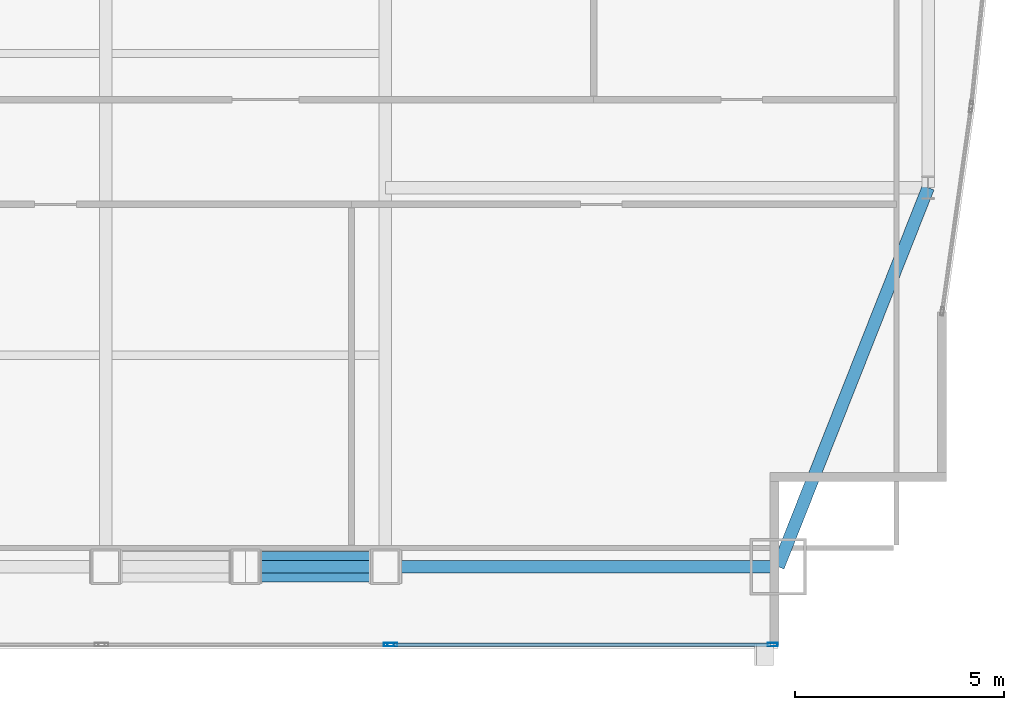
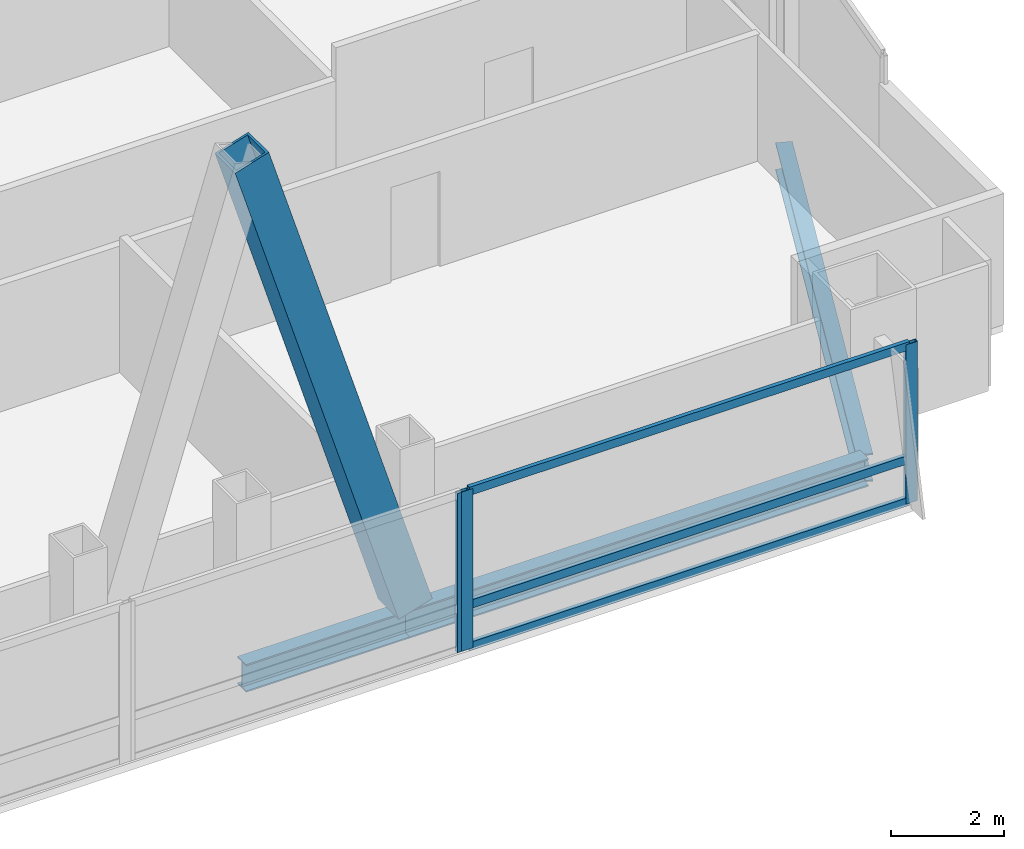
# One storey, part 15 of 30: 7 members, 3 beams, 2 elements without a shape of their own.
"""IFC4 building model written with IfcOpenShell, lengths in metres."""

import ifcopenshell
import ifcopenshell.guid

model = None  # the IFC model being written
_history = None  # IfcOwnerHistory: only IFC2X3 demands one
_inside = {}  # id of a spatial element -> (the spatial element, [elements in it])
_under = {}  # id of a project, library or spatial element -> (it, [spatial elements below it])
_declared = {}  # id of a project -> (the project, [libraries it declares])
_typed = {}  # id of a type object -> (the type object, [elements of that type])
_made_of = {}  # id of a material, layer set ... -> (it, [elements and type objects made of it])


def new_model(schema):
    """Start an empty IFC model of exactly this schema.

    Asked for "IFC4X3", IfcOpenShell would pick the latest addendum, in which some entities
    have other attributes; the version numbers below select the first issue.
    IFC2X3 requires an IfcOwnerHistory on every rooted entity: one is made here for all.
    """
    global model, _history
    if schema == "IFC4X3":
        model = ifcopenshell.file(schema_version=(4, 3, 0, 0))
    else:
        model = ifcopenshell.file(schema=schema)
    _inside.clear()
    _under.clear()
    _declared.clear()
    _typed.clear()
    _made_of.clear()
    _history = None
    if model.schema == "IFC2X3":
        org = make("IfcOrganization", Name="unknown")
        user = make(
            "IfcPersonAndOrganization",
            ThePerson=make("IfcPerson", FamilyName="unknown"),
            TheOrganization=org,
        )
        app = make(
            "IfcApplication",
            ApplicationDeveloper=org,
            Version="unknown",
            ApplicationFullName="unknown",
            ApplicationIdentifier="unknown",
        )
        _history = make(
            "IfcOwnerHistory",
            OwningUser=user,
            OwningApplication=app,
            ChangeAction="ADDED",
            CreationDate=0,
        )
    return model


def make(cls, **values):
    """One entity of the class cls with the attributes given. An attribute that is None is left unset."""
    return model.create_entity(
        cls, **{name: value for name, value in values.items() if value is not None}
    )


def rooted(cls, **values):
    """An entity with a GlobalId (a new one), such as an element, a storey or a relation."""
    return make(cls, GlobalId=ifcopenshell.guid.new(), OwnerHistory=_history, **values)


def si_unit(unit_type, name, prefix=None):
    """IfcSIUnit, for example si_unit("LENGTHUNIT", "METRE", prefix="MILLI")."""
    return make("IfcSIUnit", UnitType=unit_type, Prefix=prefix, Name=name)


def assignment(units):
    """IfcUnitAssignment: the units of a project."""
    return None if units is None else make("IfcUnitAssignment", Units=units)


def point(xyz):
    """IfcCartesianPoint."""
    return None if xyz is None else make("IfcCartesianPoint", Coordinates=xyz)


def direction(xyz):
    """IfcDirection."""
    return None if xyz is None else make("IfcDirection", DirectionRatios=xyz)


def frame(location, z_axis=None, x_axis=None):
    """IfcAxis2Placement3D, a coordinate frame: its origin and axes. An axis left out is left unset."""
    return make(
        "IfcAxis2Placement3D",
        Location=point(location),
        Axis=direction(z_axis),
        RefDirection=direction(x_axis),
    )


def frame_2d(location, x_axis=None):
    """IfcAxis2Placement2D, a coordinate frame in the plane: its origin and x axis."""
    return make(
        "IfcAxis2Placement2D", Location=point(location), RefDirection=direction(x_axis)
    )


def origin():
    """The frame at (0, 0, 0) with its axes left unset."""
    return frame((0.0, 0.0, 0.0))


def origin_2d():
    """The frame at (0, 0) in the plane with its x axis left unset."""
    return frame_2d((0.0, 0.0))


def place(relative_to, where):
    """IfcLocalPlacement: puts the frame where relative to a parent placement (None: the world)."""
    return make(
        "IfcLocalPlacement", PlacementRelTo=relative_to, RelativePlacement=where
    )


def context(
    kind, dimensions, precision=None, world=None, true_north=None, identifier=None
):
    """IfcGeometricRepresentationContext, for example the 3D "Model" context."""
    return make(
        "IfcGeometricRepresentationContext",
        ContextIdentifier=identifier,
        ContextType=kind,
        CoordinateSpaceDimension=dimensions,
        Precision=precision,
        WorldCoordinateSystem=world,
        TrueNorth=true_north,
    )


def subcontext(parent, identifier, kind, view, scale=None):
    """IfcGeometricRepresentationSubContext, for example "Body" below "Model"."""
    return make(
        "IfcGeometricRepresentationSubContext",
        ContextIdentifier=identifier,
        ContextType=kind,
        ParentContext=parent,
        TargetScale=scale,
        TargetView=view,
    )


def project(units=None, contexts=None):
    """IfcProject with its units and contexts."""
    return rooted(
        "IfcProject",
        Name="project",
        RepresentationContexts=contexts,
        UnitsInContext=assignment(units),
    )


def spatial(cls, under=None, at=None, **own):
    """A site, building, storey or space (cls), placed at a placement, below another one or the project."""
    s = rooted(cls, ObjectPlacement=at, **own)
    if under is not None:
        _under.setdefault(under.id(), (under, []))[1].append(s)
    return s


def profile(cls, at=None, kind="AREA", **sizes):
    """A parametric profile (cls). Its sizes go by their IFC names, for example OverallWidth=200.0."""
    return make(cls, ProfileType=kind, Position=at, **sizes)


def hollow_rectangle(**sizes):
    """IfcRectangleHollowProfileDef."""
    return profile("IfcRectangleHollowProfileDef", **sizes)


def i_section(**sizes):
    """IfcIShapeProfileDef."""
    return profile("IfcIShapeProfileDef", **sizes)


def extrude(swept, where, along, depth):
    """IfcExtrudedAreaSolid: the profile swept, set in the frame where, extruded along a direction by depth."""
    return make(
        "IfcExtrudedAreaSolid",
        SweptArea=swept,
        Position=where,
        ExtrudedDirection=direction(along),
        Depth=depth,
    )


def shape(context_of_items, identifier, shape_type, items):
    """IfcShapeRepresentation: the items that make up one representation, for example the "Body"."""
    return make(
        "IfcShapeRepresentation",
        ContextOfItems=context_of_items,
        RepresentationIdentifier=identifier,
        RepresentationType=shape_type,
        Items=items,
    )


def material(Name=None, Category=None):
    """IfcMaterial."""
    return make("IfcMaterial", Name=Name, Category=Category)


def material_profile(
    of_material, cross_section, Name=None, Category=None, Priority=None
):
    """IfcMaterialProfile: a cross section and its material."""
    return make(
        "IfcMaterialProfile",
        Name=Name,
        Material=of_material,
        Profile=cross_section,
        Priority=Priority,
        Category=Category,
    )


def profile_set(profiles, Name=None, composite=None):
    """IfcMaterialProfileSet."""
    return make(
        "IfcMaterialProfileSet",
        Name=Name,
        MaterialProfiles=profiles,
        CompositeProfile=composite,
    )


def made_of(thing, what):
    """Note that an element or type object is made of a material, layer set ...; save() writes the relation."""
    if what is not None:
        _made_of.setdefault(what.id(), (what, []))[1].append(thing)
    return thing


def type_object(cls, material=None, **own):
    """A type object (cls), such as IfcWallType, which elements share."""
    return made_of(rooted(cls, **own), material)


def element(
    cls,
    number,
    at=None,
    inside=None,
    cuts=None,
    type_object=None,
    material=None,
    context=None,
    identifier="Body",
    shape_type=None,
    held_by="IfcProductDefinitionShape",
    body=None,
    shapes=None,
    **own,
):
    """One element of the class cls, such as IfcWall. Its Tag is "e" and its number.

    at: its placement. inside: the storey or other place that contains it. cuts: it is an
    opening in that element (IfcRelVoidsElement). A single representation is given by context,
    identifier, shape_type and body (its items); several are given by shapes. held_by: the class
    of the entity that holds the representations. save() writes the other relations.
    """
    e = rooted(cls, Tag="e%d" % number, ObjectPlacement=at, **own)
    if body is not None:
        shapes = [shape(context, identifier, shape_type, body)]
    if shapes is not None:
        e.Representation = make(held_by, Representations=shapes)
    if inside is not None:
        _inside.setdefault(inside.id(), (inside, []))[1].append(e)
    if cuts is not None:
        rooted(
            "IfcRelVoidsElement", RelatingBuildingElement=cuts, RelatedOpeningElement=e
        )
    if type_object is not None:
        _typed.setdefault(type_object.id(), (type_object, []))[1].append(e)
    return made_of(e, material)


def aggregate(whole, parts):
    """IfcRelAggregates: a whole, such as a stair, and the parts it consists of."""
    return rooted("IfcRelAggregates", RelatingObject=whole, RelatedObjects=parts)


def save(model, path):
    """Write the relations noted so far, then the file.

    IfcRelAggregates (storeys below a building ...), IfcRelContainedInSpatialStructure (elements
    in a storey), IfcRelDefinesByType, IfcRelAssociatesMaterial and IfcRelDeclares: one each for
    every whole, place, type object, material and project.
    """
    for whole, parts in _under.values():
        aggregate(whole, parts)
    for where, things in _inside.values():
        rooted(
            "IfcRelContainedInSpatialStructure",
            RelatedElements=things,
            RelatingStructure=where,
        )
    for kind, things in _typed.values():
        rooted("IfcRelDefinesByType", RelatedObjects=things, RelatingType=kind)
    for what, things in _made_of.values():
        rooted("IfcRelAssociatesMaterial", RelatedObjects=things, RelatingMaterial=what)
    for by, libraries in _declared.values():
        rooted("IfcRelDeclares", RelatingContext=by, RelatedDefinitions=libraries)
    model.write(path)


model = new_model("IFC4")

# Units and contexts
model_context = context("Model", 3, precision=1e-05, world=origin(), true_north=direction((0.0, 1.0)))
body_context = subcontext(model_context, "Body", "Model", "MODEL_VIEW")
ifc_project = project(units=[si_unit("LENGTHUNIT", "METRE"), si_unit("AREAUNIT", "SQUARE_METRE"), si_unit("VOLUMEUNIT", "CUBIC_METRE"), si_unit("PLANEANGLEUNIT", "RADIAN"), si_unit("MASSUNIT", "GRAM", prefix="KILO")], contexts=[model_context])

# Site, building, storey
site_placement = place(None, origin())
site = spatial("IfcSite", under=ifc_project, at=site_placement, CompositionType="ELEMENT")
building_placement = place(site_placement, origin())
building = spatial("IfcBuilding", under=site, at=building_placement, Name="Khoronbel Lancet Exchange", CompositionType="ELEMENT")
storey_placement = place(building_placement, frame((0.0, 0.0, 147.0)))
storey = spatial("IfcBuildingStorey", under=building, at=storey_placement, Name="L36", CompositionType="ELEMENT", Elevation=147.0)

# Beams
ifc_material_1 = material(Name="Steel S355", Category="steel")
ifc_material_profile_1 = material_profile(ifc_material_1, i_section(OverallWidth=0.300048828125, OverallDepth=0.60009765625, WebThickness=0.015380859375, FlangeThickness=0.030029296875, at=origin_2d()), Name="HEB 600")
ifc_profile_set_1 = profile_set([ifc_material_profile_1], Name="Steel S355")
beam_type = type_object("IfcBeamType", Name="BM-BSP2", PredefinedType="SPANDREL", material=ifc_profile_set_1)
beam_1_placement = place(storey_placement, frame((51.33740234375, 10.14990234375, -0.4599609375), z_axis=(1.0, 0.0, 0.0), x_axis=(0.0, 1.0, 0.0)))
element("IfcBeam", 1, at=beam_1_placement, inside=storey, type_object=beam_type, Name="Level L36 perimeter spandrel beam SP08", PredefinedType="SPANDREL", context=body_context, shape_type="SweptSolid", body=[
    extrude(i_section(OverallWidth=0.300048828125, OverallDepth=0.60009765625, WebThickness=0.015380859375, FlangeThickness=0.030029296875, at=origin_2d()), origin(), (0.0, 0.0, 1.0), 3.337646484375),
])
beam_2_placement = place(storey_placement, frame((54.675048828125, 10.14990234375, -0.4599609375), z_axis=(1.0, 0.0, 0.0), x_axis=(0.0, 1.0, 0.0)))
element("IfcBeam", 2, at=beam_2_placement, inside=storey, type_object=beam_type, Name="Level L36 perimeter spandrel beam SP09", PredefinedType="SPANDREL", context=body_context, shape_type="SweptSolid", body=[
    extrude(i_section(OverallWidth=0.300048828125, OverallDepth=0.60009765625, WebThickness=0.015380859375, FlangeThickness=0.030029296875, at=origin_2d()), origin(), (0.0, 0.0, 1.0), 9.375),
])
beam_3_placement = place(storey_placement, frame((64.050048828125, 10.14990234375, -0.4599609375), z_axis=(0.367828403855, 0.929893684954, 0.0), x_axis=(-0.929893684954, 0.367828403855, 0.0)))
element("IfcBeam", 3, at=beam_3_placement, inside=storey, type_object=beam_type, Name="Level L36 perimeter spandrel beam SP10", PredefinedType="SPANDREL", context=body_context, shape_type="SweptSolid", body=[
    extrude(i_section(OverallWidth=0.300048828125, OverallDepth=0.60009765625, WebThickness=0.015380859375, FlangeThickness=0.030029296875, at=origin_2d()), origin(), (0.0, 0.0, 1.0), 9.732421875),
])

# Curtain wall, member
ifc_material_2 = material(Name="Low-E Solar Control Insulating Glass", Category="glass")
curtain_wall_type = type_object("IfcCurtainWallType", Name="CW-3", PredefinedType="NOTDEFINED", material=ifc_material_2)
curtain_wall_1_placement = place(storey_placement, origin())
curtain_wall_1 = element("IfcCurtainWall", 4, at=curtain_wall_1_placement, inside=storey, type_object=curtain_wall_type, Name="Unitised curtain wall CW-L36-SEB", PredefinedType="NOTDEFINED")
ifc_material_3 = material(Name="Bronze-Anodised Aluminium 6063-T6", Category="aluminium")
ifc_material_profile_2 = material_profile(ifc_material_3, hollow_rectangle(XDim=0.0849609375, YDim=0.239990234375, WallThickness=0.006103515625, at=origin_2d()), Name="ALU MULLION 85x240")
ifc_profile_set_2 = profile_set([ifc_material_profile_2], Name="Bronze-Anodised Aluminium 6063-T6")
member_type_1 = type_object("IfcMemberType", Name="MEM-CWM1", PredefinedType="MULLION", material=ifc_profile_set_2)
member_1_placement = place(storey_placement, frame((54.757568359375, 8.2900390625, 0.0), z_axis=(0.0, 0.0, 1.0), x_axis=(0.0, 1.0, 0.0)))
member_1 = element("IfcMember", 5, at=member_1_placement, type_object=member_type_1, Name="CW3 mullion 2", PredefinedType="MULLION", context=body_context, shape_type="SweptSolid", body=[
    extrude(hollow_rectangle(XDim=0.0849609375, YDim=0.239990234375, WallThickness=0.006103515625, at=origin_2d()), origin(), (0.0, 0.0, 1.0), 3.43994140625),
])
aggregate(curtain_wall_1, [member_1])

# Curtain wall, members
curtain_wall_2_placement = place(storey_placement, origin())
curtain_wall_2 = element("IfcCurtainWall", 6, at=curtain_wall_2_placement, inside=storey, type_object=curtain_wall_type, Name="Unitised curtain wall CW-L36-SEV", PredefinedType="NOTDEFINED")
member_2_placement = place(storey_placement, frame((54.842529296875, 8.2900390625, 0.0), z_axis=(0.0, 0.0, 1.0), x_axis=(0.0, 1.0, 0.0)))
member_2 = element("IfcMember", 7, at=member_2_placement, type_object=member_type_1, Name="CW3 mullion 1", PredefinedType="MULLION", context=body_context, shape_type="SweptSolid", body=[
    extrude(hollow_rectangle(XDim=0.0849609375, YDim=0.239990234375, WallThickness=0.006103515625, at=origin_2d()), origin(), (0.0, 0.0, 1.0), 3.43994140625),
])
member_3_placement = place(storey_placement, frame((63.91748046875, 8.2900390625, 0.0), z_axis=(0.0, 0.0, 1.0), x_axis=(0.0, 1.0, 0.0)))
member_3 = element("IfcMember", 8, at=member_3_placement, type_object=member_type_1, Name="CW3 mullion 2", PredefinedType="MULLION", context=body_context, shape_type="SweptSolid", body=[
    extrude(hollow_rectangle(XDim=0.0849609375, YDim=0.239990234375, WallThickness=0.006103515625, at=origin_2d()), origin(), (0.0, 0.0, 1.0), 3.43994140625),
])
ifc_material_profile_3 = material_profile(ifc_material_3, hollow_rectangle(XDim=0.0849609375, YDim=0.179931640625, WallThickness=0.0048828125, at=origin_2d()), Name="ALU TRANSOM 85x180")
ifc_profile_set_3 = profile_set([ifc_material_profile_3], Name="Bronze-Anodised Aluminium 6063-T6")
member_type_2 = type_object("IfcMemberType", Name="MEM-CWT1", PredefinedType="USERDEFINED", material=ifc_profile_set_3)
member_4_placement = place(storey_placement, frame((54.885009765625, 8.2900390625, 0.04248046875), z_axis=(1.0, 0.0, 0.0), x_axis=(0.0, 1.0, 0.0)))
member_4 = element("IfcMember", 9, at=member_4_placement, type_object=member_type_2, Name="CW3 transom 1.1", ObjectType="TRANSOM", PredefinedType="USERDEFINED", context=body_context, shape_type="SweptSolid", body=[
    extrude(hollow_rectangle(XDim=0.0849609375, YDim=0.179931640625, WallThickness=0.0048828125, at=origin_2d()), origin(), (0.0, 0.0, 1.0), 8.989990234375),
])
member_5_placement = place(storey_placement, frame((54.885009765625, 8.2900390625, 0.949951171875), z_axis=(1.0, 0.0, 0.0), x_axis=(0.0, 1.0, 0.0)))
member_5 = element("IfcMember", 10, at=member_5_placement, type_object=member_type_2, Name="CW3 transom 1.2", ObjectType="TRANSOM", PredefinedType="USERDEFINED", context=body_context, shape_type="SweptSolid", body=[
    extrude(hollow_rectangle(XDim=0.0849609375, YDim=0.179931640625, WallThickness=0.0048828125, at=origin_2d()), origin(), (0.0, 0.0, 1.0), 8.989990234375),
])
member_6_placement = place(storey_placement, frame((54.885009765625, 8.2900390625, 3.3974609375), z_axis=(1.0, 0.0, 0.0), x_axis=(0.0, 1.0, 0.0)))
member_6 = element("IfcMember", 11, at=member_6_placement, type_object=member_type_2, Name="CW3 transom 1.3", ObjectType="TRANSOM", PredefinedType="USERDEFINED", context=body_context, shape_type="SweptSolid", body=[
    extrude(hollow_rectangle(XDim=0.0849609375, YDim=0.179931640625, WallThickness=0.0048828125, at=origin_2d()), origin(), (0.0, 0.0, 1.0), 8.989990234375),
])
aggregate(curtain_wall_2, [member_2, member_3, member_4, member_5, member_6])

# Member
ifc_material_4 = material(Name="Steel S460", Category="steel")
ifc_material_profile_4 = material_profile(ifc_material_4, hollow_rectangle(XDim=0.719970703125, YDim=0.719970703125, WallThickness=0.050048828125, at=origin_2d()), Name="BOX 720x720x50")
ifc_profile_set_4 = profile_set([ifc_material_profile_4], Name="Steel S460")
member_type_3 = type_object("IfcMemberType", Name="MEM-MB2", PredefinedType="BRACE", material=ifc_profile_set_4)
member_7_placement = place(storey_placement, frame((54.675048828125, 10.14990234375, 0.0), z_axis=(-0.295261823895, 0.0, 0.955416378), x_axis=(0.0, -1.0, 0.0)))
element("IfcMember", 12, at=member_7_placement, inside=storey, type_object=member_type_3, Name="Perimeter lancet brace tier 12 S-E-R", PredefinedType="BRACE", context=body_context, shape_type="SweptSolid", body=[
    extrude(hollow_rectangle(XDim=0.719970703125, YDim=0.719970703125, WallThickness=0.050048828125, at=origin_2d()), origin(), (0.0, 0.0, 1.0), 11.303955078125),
])

save(model, "model.ifc")
